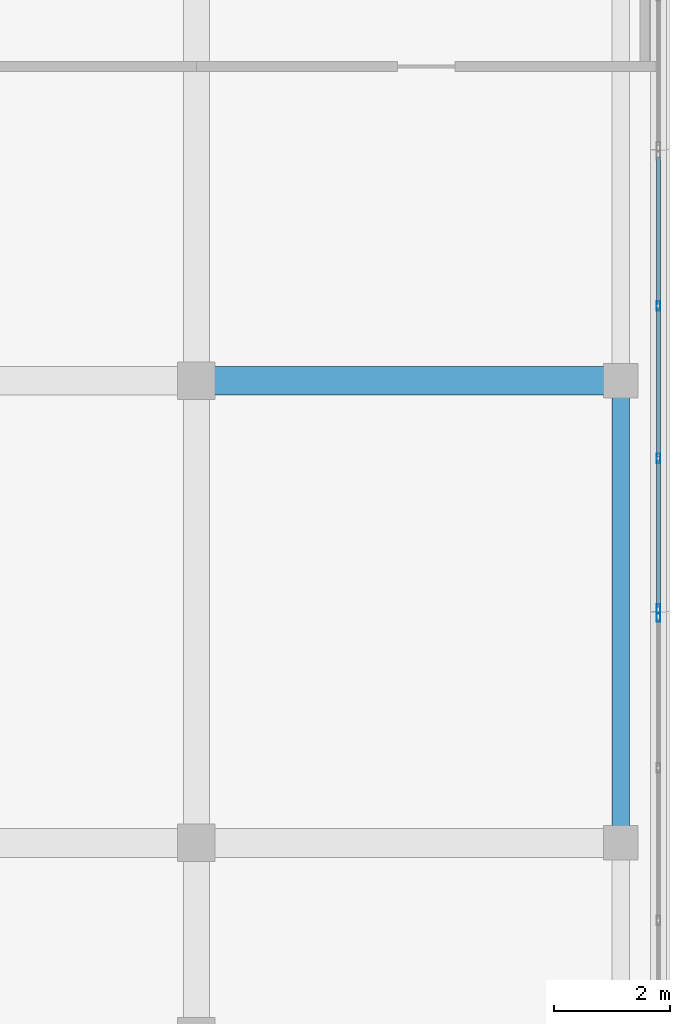
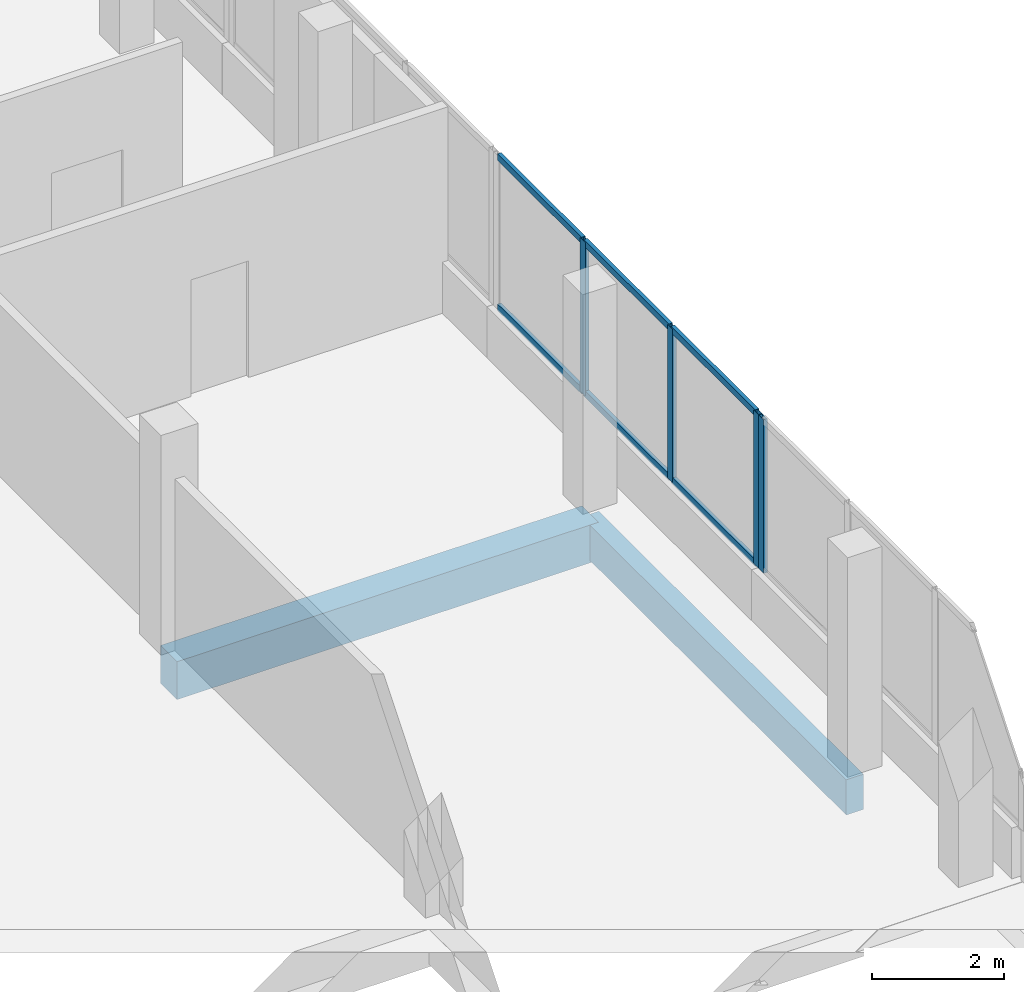
# One storey, part 51 of 78: 10 members, 2 beams, 2 elements without a shape of their own.
"""IFC4 building model written with IfcOpenShell, lengths in metres."""

from ifc_helpers import new_model, si_unit, direction, frame, origin, origin_2d, place, context, subcontext, project, spatial, rectangle, hollow_rectangle, extrude, material, material_profile, profile_set, type_object, element, aggregate, save


model = new_model("IFC4")

# Units and contexts
model_context = context("Model", 3, precision=1e-05, world=origin(), true_north=direction((0.0, 1.0)))
body_context = subcontext(model_context, "Body", "Model", "MODEL_VIEW")
ifc_project = project(units=[si_unit("LENGTHUNIT", "METRE"), si_unit("AREAUNIT", "SQUARE_METRE"), si_unit("VOLUMEUNIT", "CUBIC_METRE"), si_unit("PLANEANGLEUNIT", "RADIAN"), si_unit("MASSUNIT", "GRAM", prefix="KILO")], contexts=[model_context])

# Site, building, storey
site_placement = place(None, origin())
site = spatial("IfcSite", under=ifc_project, at=site_placement, CompositionType="ELEMENT")
building_placement = place(site_placement, origin())
building = spatial("IfcBuilding", under=site, at=building_placement, Name="Selatvlak General Hospital", CompositionType="ELEMENT")
storey_placement = place(building_placement, frame((0.0, 0.0, 23.25)))
storey = spatial("IfcBuildingStorey", under=building, at=storey_placement, Name="L05", CompositionType="ELEMENT", Elevation=23.25)

# Beams
ifc_material_1 = material(Name="Concrete C40/50", Category="concrete")
ifc_material_profile_1 = material_profile(ifc_material_1, rectangle(XDim=0.5, YDim=0.699951171875, at=origin_2d()), Name="RC-BM 500x700")
ifc_profile_set_1 = profile_set([ifc_material_profile_1], Name="Concrete C40/50")
beam_type_1 = type_object("IfcBeamType", Name="BM-G03", PredefinedType="BEAM", material=ifc_profile_set_1)
beam_1_placement = place(storey_placement, frame((174.0, 100.0, -0.6298828125), z_axis=(1.0, 0.0, 0.0), x_axis=(0.0, 1.0, 0.0)))
element("IfcBeam", 1, at=beam_1_placement, inside=storey, type_object=beam_type_1, Name="Beam BMR-L05-1940", PredefinedType="BEAM", context=body_context, shape_type="SweptSolid", body=[
    extrude(rectangle(XDim=0.5, YDim=0.699951171875, at=origin_2d()), origin(), (0.0, 0.0, 1.0), 7.35009765625),
])
ifc_material_profile_2 = material_profile(ifc_material_1, rectangle(XDim=0.300048828125, YDim=0.64990234375, at=origin_2d()), Name="RC-SP 300x650")
ifc_profile_set_2 = profile_set([ifc_material_profile_2], Name="Concrete C40/50")
beam_type_2 = type_object("IfcBeamType", Name="BM-SP1", PredefinedType="SPANDREL", material=ifc_profile_set_2)
beam_2_placement = place(storey_placement, frame((181.35009765625, 92.0, -0.60498046875), z_axis=(0.0, 1.0, 0.0), x_axis=(-1.0, 0.0, 0.0)))
element("IfcBeam", 2, at=beam_2_placement, inside=storey, type_object=beam_type_2, Name="Beam BMR-L05-2111", PredefinedType="SPANDREL", context=body_context, shape_type="SweptSolid", body=[
    extrude(rectangle(XDim=0.300048828125, YDim=0.64990234375, at=origin_2d()), origin(), (0.0, 0.0, 1.0), 8.0),
])

# Curtain wall, members
ifc_material_2 = material(Name="Solar-control Low-E double glazing", Category="glass")
curtain_wall_type_1 = type_object("IfcCurtainWallType", Name="CW-CW-01", PredefinedType="USERDEFINED", material=ifc_material_2)
curtain_wall_1_placement = place(storey_placement, origin())
curtain_wall_1 = element("IfcCurtainWall", 3, at=curtain_wall_1_placement, inside=storey, type_object=curtain_wall_type_1, Name="Glazed facade curtain wall CW-L05-0568", ObjectType="UNITISED CURTAIN WALL", PredefinedType="USERDEFINED")
ifc_material_3 = material(Name="Dark anodised aluminium mullion", Category="aluminium")
ifc_material_profile_3 = material_profile(ifc_material_3, hollow_rectangle(XDim=0.06494140625, YDim=0.159912109375, WallThickness=0.00390625, at=origin_2d()), Name="AL-MUL 65x160x4")
ifc_profile_set_3 = profile_set([ifc_material_profile_3], Name="Dark anodised aluminium mullion")
member_type_1 = type_object("IfcMemberType", Name="CWM-01", PredefinedType="MULLION", material=ifc_profile_set_3)
member_1_placement = place(storey_placement, frame((182.0, 101.2958984375, 0.93994140625), z_axis=(0.0, 0.0, 1.0), x_axis=(1.0, 0.0, 0.0)))
member_1 = element("IfcMember", 4, at=member_1_placement, type_object=member_type_1, Name="CW-01 mullion 2", PredefinedType="MULLION", context=body_context, shape_type="SweptSolid", body=[
    extrude(hollow_rectangle(XDim=0.06494140625, YDim=0.159912109375, WallThickness=0.00390625, at=origin_2d()), origin(), (0.0, 0.0, 1.0), 2.8349609375),
])
member_2_placement = place(storey_placement, frame((182.0, 98.656005859375, 0.93994140625), z_axis=(0.0, 0.0, 1.0), x_axis=(1.0, 0.0, 0.0)))
member_2 = element("IfcMember", 5, at=member_2_placement, type_object=member_type_1, Name="CW-01 mullion 3", PredefinedType="MULLION", context=body_context, shape_type="SweptSolid", body=[
    extrude(hollow_rectangle(XDim=0.06494140625, YDim=0.159912109375, WallThickness=0.00390625, at=origin_2d()), origin(), (0.0, 0.0, 1.0), 2.8349609375),
])
member_3_placement = place(storey_placement, frame((182.0, 96.048583984375, 0.93994140625), z_axis=(0.0, 0.0, 1.0), x_axis=(1.0, 0.0, 0.0)))
member_3 = element("IfcMember", 6, at=member_3_placement, type_object=member_type_1, Name="CW-01 mullion 4", PredefinedType="MULLION", context=body_context, shape_type="SweptSolid", body=[
    extrude(hollow_rectangle(XDim=0.06494140625, YDim=0.159912109375, WallThickness=0.00390625, at=origin_2d()), origin(), (0.0, 0.0, 1.0), 2.8349609375),
])

# Curtain wall, member
curtain_wall_type_2 = type_object("IfcCurtainWallType", Name="CW-CW-02", PredefinedType="USERDEFINED", material=ifc_material_2)
curtain_wall_2_placement = place(storey_placement, origin())
curtain_wall_2 = element("IfcCurtainWall", 7, at=curtain_wall_2_placement, inside=storey, type_object=curtain_wall_type_2, Name="Glazed facade curtain wall CW-L05-0569", ObjectType="UNITISED CURTAIN WALL", PredefinedType="USERDEFINED")
member_4_placement = place(storey_placement, frame((182.0, 95.903564453125, 0.93994140625), z_axis=(0.0, 0.0, 1.0), x_axis=(1.0, 0.0, 0.0)))
member_4 = element("IfcMember", 8, at=member_4_placement, type_object=member_type_1, Name="CW-02 mullion 1", PredefinedType="MULLION", context=body_context, shape_type="SweptSolid", body=[
    extrude(hollow_rectangle(XDim=0.06494140625, YDim=0.159912109375, WallThickness=0.00390625, at=origin_2d()), origin(), (0.0, 0.0, 1.0), 2.8349609375),
])
aggregate(curtain_wall_2, [member_4])

# Member
ifc_material_profile_4 = material_profile(ifc_material_3, hollow_rectangle(XDim=0.06494140625, YDim=0.1201171875, WallThickness=0.00390625, at=origin_2d()), Name="AL-TRN 65x120x4")
ifc_profile_set_4 = profile_set([ifc_material_profile_4], Name="Dark anodised aluminium mullion")
member_type_2 = type_object("IfcMemberType", Name="CWT-01", PredefinedType="USERDEFINED", material=ifc_profile_set_4)
member_5_placement = place(storey_placement, frame((182.0, 103.87109375, 0.972412109375), z_axis=(0.0, -1.0, 0.0), x_axis=(1.0, 0.0, 0.0)))
member_5 = element("IfcMember", 9, at=member_5_placement, type_object=member_type_2, Name="CW-01 transom 1.1", ObjectType="TRANSOM", PredefinedType="USERDEFINED", context=body_context, shape_type="SweptSolid", body=[
    extrude(hollow_rectangle(XDim=0.06494140625, YDim=0.1201171875, WallThickness=0.00390625, at=origin_2d()), origin(), (0.0, 0.0, 1.0), 2.54248046875),
])

member_6_placement = place(storey_placement, frame((182.0, 103.87109375, 3.742431640625), z_axis=(0.0, -1.0, 0.0), x_axis=(1.0, 0.0, 0.0)))
member_6 = element("IfcMember", 10, at=member_6_placement, type_object=member_type_2, Name="CW-01 transom 1.2", ObjectType="TRANSOM", PredefinedType="USERDEFINED", context=body_context, shape_type="SweptSolid", body=[
    extrude(hollow_rectangle(XDim=0.06494140625, YDim=0.1201171875, WallThickness=0.00390625, at=origin_2d()), origin(), (0.0, 0.0, 1.0), 2.54248046875),
])

member_7_placement = place(storey_placement, frame((182.0, 101.263427734375, 0.972412109375), z_axis=(0.0, -1.0, 0.0), x_axis=(1.0, 0.0, 0.0)))
member_7 = element("IfcMember", 11, at=member_7_placement, type_object=member_type_2, Name="CW-01 transom 2.1", ObjectType="TRANSOM", PredefinedType="USERDEFINED", context=body_context, shape_type="SweptSolid", body=[
    extrude(hollow_rectangle(XDim=0.06494140625, YDim=0.1201171875, WallThickness=0.00390625, at=origin_2d()), origin(), (0.0, 0.0, 1.0), 2.574951171875),
])

member_8_placement = place(storey_placement, frame((182.0, 101.263427734375, 3.742431640625), z_axis=(0.0, -1.0, 0.0), x_axis=(1.0, 0.0, 0.0)))
member_8 = element("IfcMember", 12, at=member_8_placement, type_object=member_type_2, Name="CW-01 transom 2.2", ObjectType="TRANSOM", PredefinedType="USERDEFINED", context=body_context, shape_type="SweptSolid", body=[
    extrude(hollow_rectangle(XDim=0.06494140625, YDim=0.1201171875, WallThickness=0.00390625, at=origin_2d()), origin(), (0.0, 0.0, 1.0), 2.574951171875),
])

member_9_placement = place(storey_placement, frame((182.0, 98.62353515625, 0.972412109375), z_axis=(0.0, -1.0, 0.0), x_axis=(1.0, 0.0, 0.0)))
member_9 = element("IfcMember", 13, at=member_9_placement, type_object=member_type_2, Name="CW-01 transom 3.1", ObjectType="TRANSOM", PredefinedType="USERDEFINED", context=body_context, shape_type="SweptSolid", body=[
    extrude(hollow_rectangle(XDim=0.06494140625, YDim=0.1201171875, WallThickness=0.00390625, at=origin_2d()), origin(), (0.0, 0.0, 1.0), 2.54248046875),
])

member_10_placement = place(storey_placement, frame((182.0, 98.62353515625, 3.742431640625), z_axis=(0.0, -1.0, 0.0), x_axis=(1.0, 0.0, 0.0)))
member_10 = element("IfcMember", 14, at=member_10_placement, type_object=member_type_2, Name="CW-01 transom 3.2", ObjectType="TRANSOM", PredefinedType="USERDEFINED", context=body_context, shape_type="SweptSolid", body=[
    extrude(hollow_rectangle(XDim=0.06494140625, YDim=0.1201171875, WallThickness=0.00390625, at=origin_2d()), origin(), (0.0, 0.0, 1.0), 2.54248046875),
])

aggregate(curtain_wall_1, [member_1, member_2, member_3, member_5, member_6, member_7, member_8, member_9, member_10])

save(model, "model.ifc")
